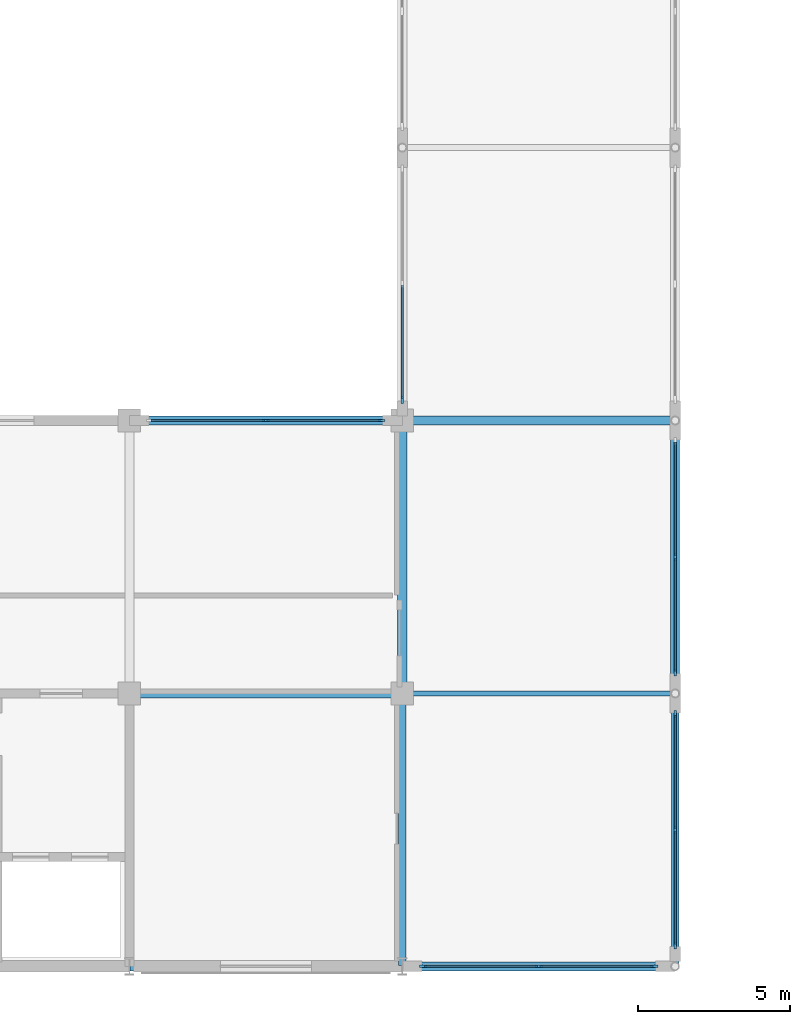
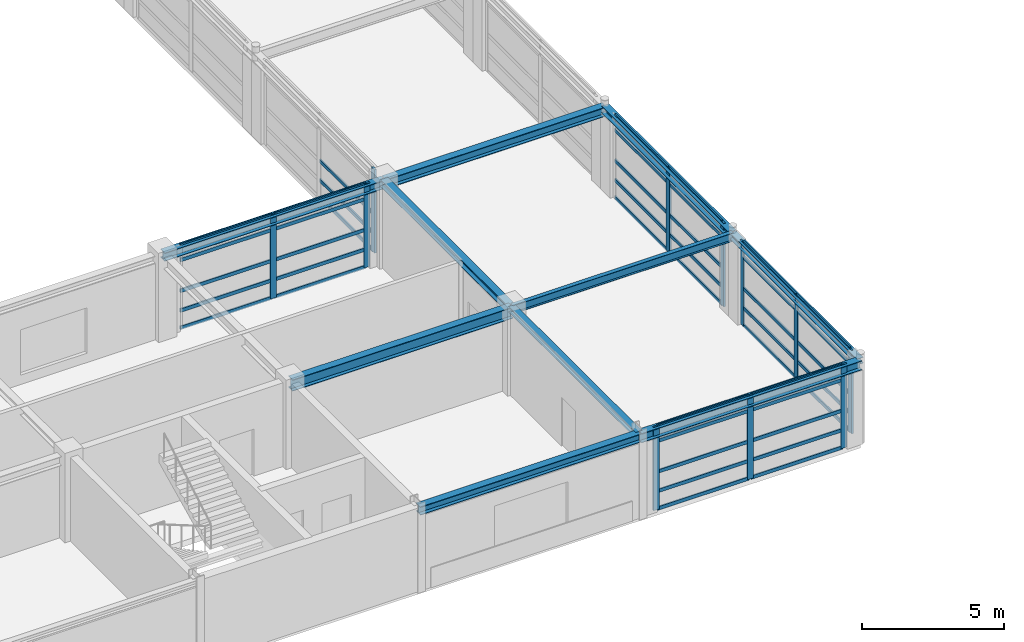
# One storey, part 23 of 79: 54 members, 10 beams, 5 elements without a shape of their own.
"""IFC4 building model written with IfcOpenShell, lengths in metres."""

from ifc_helpers import new_model, si_unit, direction, frame, origin, origin_2d, place, context, subcontext, project, spatial, rectangle, i_section, extrude, material, material_profile, profile_set, type_object, element, aggregate, save


model = new_model("IFC4")

# Units and contexts
model_context = context("Model", 3, precision=1e-05, world=origin(), true_north=direction((0.0, 1.0)))
body_context = subcontext(model_context, "Body", "Model", "MODEL_VIEW")
ifc_project = project(units=[si_unit("LENGTHUNIT", "METRE"), si_unit("AREAUNIT", "SQUARE_METRE"), si_unit("VOLUMEUNIT", "CUBIC_METRE"), si_unit("PLANEANGLEUNIT", "RADIAN"), si_unit("MASSUNIT", "GRAM", prefix="KILO")], contexts=[model_context])

# Site, building, storey
site_placement = place(None, origin())
site = spatial("IfcSite", under=ifc_project, at=site_placement, CompositionType="ELEMENT")
building_placement = place(site_placement, origin())
building = spatial("IfcBuilding", under=site, at=building_placement, Name="Palais des Congres Ocreval", CompositionType="ELEMENT")
storey_placement = place(building_placement, frame((0.0, 0.0, 4.320068359375)))
storey = spatial("IfcBuildingStorey", under=building, at=storey_placement, Name="L01", CompositionType="ELEMENT", Elevation=4.320068359375)

# Beam
ifc_material_1 = material(Name="Steel S355", Category="steel")
ifc_material_profile_1 = material_profile(ifc_material_1, i_section(OverallWidth=0.169921875, OverallDepth=0.360107421875, WebThickness=0.008056640625, FlangeThickness=0.0126953125, at=origin_2d()), Name="IPE 360")
ifc_profile_set_1 = profile_set([ifc_material_profile_1], Name="Steel S355")
beam_type_1 = type_object("IfcBeamType", Name="Composite Beam IPE 360 Steel S355", PredefinedType="BEAM", material=ifc_profile_set_1)
beam_1_placement = place(storey_placement, frame((72.02001953125, 9.0, 3.39990234375), z_axis=(1.0, 0.0, 0.0), x_axis=(0.0, 1.0, 0.0)))
element("IfcBeam", 1, at=beam_1_placement, inside=storey, type_object=beam_type_1, Name="Beam B01 L01", PredefinedType="BEAM", context=body_context, shape_type="SweptSolid", body=[
    extrude(i_section(OverallWidth=0.169921875, OverallDepth=0.360107421875, WebThickness=0.008056640625, FlangeThickness=0.0126953125, at=origin_2d()), origin(), (0.0, 0.0, 1.0), 8.9599609375),
])

# Curtain wall, members
ifc_material_2 = material(Name="Anodized bronze aluminium and low-E glass", Category="glass")
curtain_wall_type = type_object("IfcCurtainWallType", Name="Unitised Curtain Wall 7900x3660", PredefinedType="USERDEFINED", material=ifc_material_2)
curtain_wall_1_placement = place(storey_placement, origin())
curtain_wall_1 = element("IfcCurtainWall", 2, at=curtain_wall_1_placement, inside=storey, type_object=curtain_wall_type, Name="Unitised Curtain Wall CW02 L01", ObjectType="UNITISED CURTAIN WALL", PredefinedType="USERDEFINED")
ifc_material_3 = material(Name="Anodized bronze aluminium", Category="aluminium")
ifc_material_profile_2 = material_profile(ifc_material_3, rectangle(XDim=0.074951171875, YDim=0.239990234375, at=origin_2d()), Name="ALU 75x240")
ifc_profile_set_2 = profile_set([ifc_material_profile_2], Name="Anodized bronze aluminium")
member_type_1 = type_object("IfcMemberType", Name="Curtain Wall Mullion ALU 75x240", PredefinedType="MULLION", material=ifc_profile_set_2)
member_1_placement = place(storey_placement, frame((81.0, 13.5, 0.0), z_axis=(0.0, 0.0, 1.0), x_axis=(1.0, 0.0, 0.0)))
member_1 = element("IfcMember", 3, at=member_1_placement, type_object=member_type_1, Name="Curtain Wall Mullion ML01", PredefinedType="MULLION", context=body_context, shape_type="SweptSolid", body=[
    extrude(rectangle(XDim=0.074951171875, YDim=0.239990234375, at=origin_2d()), origin(), (0.0, 0.0, 1.0), 3.58984375),
])
member_2_placement = place(storey_placement, frame((81.0, 9.6875, 0.0), z_axis=(0.0, 0.0, 1.0), x_axis=(1.0, 0.0, 0.0)))
member_2 = element("IfcMember", 4, at=member_2_placement, type_object=member_type_1, Name="Curtain Wall Mullion ML01", PredefinedType="MULLION", context=body_context, shape_type="SweptSolid", body=[
    extrude(rectangle(XDim=0.074951171875, YDim=0.239990234375, at=origin_2d()), origin(), (0.0, 0.0, 1.0), 3.58984375),
])

curtain_wall_2_placement = place(storey_placement, origin())
curtain_wall_2 = element("IfcCurtainWall", 5, at=curtain_wall_2_placement, inside=storey, type_object=curtain_wall_type, Name="Unitised Curtain Wall CW02 L01", ObjectType="UNITISED CURTAIN WALL", PredefinedType="USERDEFINED")
member_3_placement = place(storey_placement, frame((81.0, 8.3125, 0.0), z_axis=(0.0, 0.0, 1.0), x_axis=(1.0, 0.0, 0.0)))
member_3 = element("IfcMember", 6, at=member_3_placement, type_object=member_type_1, Name="Curtain Wall Mullion ML01", PredefinedType="MULLION", context=body_context, shape_type="SweptSolid", body=[
    extrude(rectangle(XDim=0.074951171875, YDim=0.239990234375, at=origin_2d()), origin(), (0.0, 0.0, 1.0), 3.58984375),
])
member_4_placement = place(storey_placement, frame((81.0, 4.5, 0.0), z_axis=(0.0, 0.0, 1.0), x_axis=(1.0, 0.0, 0.0)))
member_4 = element("IfcMember", 7, at=member_4_placement, type_object=member_type_1, Name="Curtain Wall Mullion ML01", PredefinedType="MULLION", context=body_context, shape_type="SweptSolid", body=[
    extrude(rectangle(XDim=0.074951171875, YDim=0.239990234375, at=origin_2d()), origin(), (0.0, 0.0, 1.0), 3.58984375),
])
member_5_placement = place(storey_placement, frame((81.0, 0.6875, 0.0), z_axis=(0.0, 0.0, 1.0), x_axis=(1.0, 0.0, 0.0)))
member_5 = element("IfcMember", 8, at=member_5_placement, type_object=member_type_1, Name="Curtain Wall Mullion ML01", PredefinedType="MULLION", context=body_context, shape_type="SweptSolid", body=[
    extrude(rectangle(XDim=0.074951171875, YDim=0.239990234375, at=origin_2d()), origin(), (0.0, 0.0, 1.0), 3.58984375),
])

curtain_wall_3_placement = place(storey_placement, origin())
curtain_wall_3 = element("IfcCurtainWall", 9, at=curtain_wall_3_placement, inside=storey, type_object=curtain_wall_type, Name="Unitised Curtain Wall CW02 L01", ObjectType="UNITISED CURTAIN WALL", PredefinedType="USERDEFINED")
member_6_placement = place(storey_placement, frame((80.3125, 0.0, 0.0), z_axis=(0.0, 0.0, 1.0), x_axis=(0.0, -1.0, 0.0)))
member_6 = element("IfcMember", 10, at=member_6_placement, type_object=member_type_1, Name="Curtain Wall Mullion ML01", PredefinedType="MULLION", context=body_context, shape_type="SweptSolid", body=[
    extrude(rectangle(XDim=0.074951171875, YDim=0.239990234375, at=origin_2d()), origin(), (0.0, 0.0, 1.0), 3.58984375),
])
member_7_placement = place(storey_placement, frame((76.5, 0.0, 0.0), z_axis=(0.0, 0.0, 1.0), x_axis=(0.0, -1.0, 0.0)))
member_7 = element("IfcMember", 11, at=member_7_placement, type_object=member_type_1, Name="Curtain Wall Mullion ML01", PredefinedType="MULLION", context=body_context, shape_type="SweptSolid", body=[
    extrude(rectangle(XDim=0.074951171875, YDim=0.239990234375, at=origin_2d()), origin(), (0.0, 0.0, 1.0), 3.58984375),
])
member_8_placement = place(storey_placement, frame((72.6875, 0.0, 0.0), z_axis=(0.0, 0.0, 1.0), x_axis=(0.0, -1.0, 0.0)))
member_8 = element("IfcMember", 12, at=member_8_placement, type_object=member_type_1, Name="Curtain Wall Mullion ML01", PredefinedType="MULLION", context=body_context, shape_type="SweptSolid", body=[
    extrude(rectangle(XDim=0.074951171875, YDim=0.239990234375, at=origin_2d()), origin(), (0.0, 0.0, 1.0), 3.58984375),
])

curtain_wall_4_placement = place(storey_placement, origin())
curtain_wall_4 = element("IfcCurtainWall", 13, at=curtain_wall_4_placement, inside=storey, type_object=curtain_wall_type, Name="Unitised Curtain Wall CW02 L01", ObjectType="UNITISED CURTAIN WALL", PredefinedType="USERDEFINED")
member_9_placement = place(storey_placement, frame((67.5, 18.0, 0.0), z_axis=(0.0, 0.0, 1.0), x_axis=(0.0, 1.0, 0.0)))
member_9 = element("IfcMember", 14, at=member_9_placement, type_object=member_type_1, Name="Curtain Wall Mullion ML01", PredefinedType="MULLION", context=body_context, shape_type="SweptSolid", body=[
    extrude(rectangle(XDim=0.074951171875, YDim=0.239990234375, at=origin_2d()), origin(), (0.0, 0.0, 1.0), 3.599853515625),
])
member_10_placement = place(storey_placement, frame((71.3125, 18.0, 0.0), z_axis=(0.0, 0.0, 1.0), x_axis=(0.0, 1.0, 0.0)))
member_10 = element("IfcMember", 15, at=member_10_placement, type_object=member_type_1, Name="Curtain Wall Mullion ML01", PredefinedType="MULLION", context=body_context, shape_type="SweptSolid", body=[
    extrude(rectangle(XDim=0.074951171875, YDim=0.239990234375, at=origin_2d()), origin(), (0.0, 0.0, 1.0), 3.599853515625),
])

# Curtain wall, member
curtain_wall_5_placement = place(storey_placement, origin())
curtain_wall_5 = element("IfcCurtainWall", 16, at=curtain_wall_5_placement, inside=storey, type_object=curtain_wall_type, Name="Unitised Curtain Wall CW02 L01", ObjectType="UNITISED CURTAIN WALL", PredefinedType="USERDEFINED")
member_11_placement = place(storey_placement, frame((72.0, 18.6875, 0.0), z_axis=(0.0, 0.0, 1.0), x_axis=(-1.0, 0.0, 0.0)))
member_11 = element("IfcMember", 17, at=member_11_placement, type_object=member_type_1, Name="Curtain Wall Mullion ML01", PredefinedType="MULLION", context=body_context, shape_type="SweptSolid", body=[
    extrude(rectangle(XDim=0.074951171875, YDim=0.239990234375, at=origin_2d()), origin(), (0.0, 0.0, 1.0), 3.58984375),
])

# Member
ifc_material_profile_3 = material_profile(ifc_material_3, rectangle(XDim=0.06005859375, YDim=0.14990234375, at=origin_2d()), Name="ALU 60x150")
ifc_profile_set_3 = profile_set([ifc_material_profile_3], Name="Anodized bronze aluminium")
member_type_2 = type_object("IfcMemberType", Name="Curtain Wall Transom ALU 60x150", PredefinedType="USERDEFINED", material=ifc_profile_set_3)
member_12_placement = place(storey_placement, frame((81.0, 17.27490234375, 0.030029296875), z_axis=(0.0, -1.0, 0.0), x_axis=(1.0, 0.0, 0.0)))
member_12 = element("IfcMember", 18, at=member_12_placement, type_object=member_type_2, Name="Curtain Wall Transom TR01", ObjectType="TRANSOM", PredefinedType="USERDEFINED", context=body_context, shape_type="SweptSolid", body=[
    extrude(rectangle(XDim=0.06005859375, YDim=0.14990234375, at=origin_2d()), origin(), (0.0, 0.0, 1.0), 3.7373046875),
])

member_13_placement = place(storey_placement, frame((81.0, 17.27490234375, 0.780029296875), z_axis=(0.0, -1.0, 0.0), x_axis=(1.0, 0.0, 0.0)))
member_13 = element("IfcMember", 19, at=member_13_placement, type_object=member_type_2, Name="Curtain Wall Transom TR01", ObjectType="TRANSOM", PredefinedType="USERDEFINED", context=body_context, shape_type="SweptSolid", body=[
    extrude(rectangle(XDim=0.06005859375, YDim=0.14990234375, at=origin_2d()), origin(), (0.0, 0.0, 1.0), 3.7373046875),
])

member_14_placement = place(storey_placement, frame((81.0, 17.27490234375, 1.616943359375), z_axis=(0.0, -1.0, 0.0), x_axis=(1.0, 0.0, 0.0)))
member_14 = element("IfcMember", 20, at=member_14_placement, type_object=member_type_2, Name="Curtain Wall Transom TR01", ObjectType="TRANSOM", PredefinedType="USERDEFINED", context=body_context, shape_type="SweptSolid", body=[
    extrude(rectangle(XDim=0.06005859375, YDim=0.14990234375, at=origin_2d()), origin(), (0.0, 0.0, 1.0), 3.7373046875),
])

member_15_placement = place(storey_placement, frame((81.0, 17.27490234375, 2.93994140625), z_axis=(0.0, -1.0, 0.0), x_axis=(1.0, 0.0, 0.0)))
member_15 = element("IfcMember", 21, at=member_15_placement, type_object=member_type_2, Name="Curtain Wall Transom TR01", ObjectType="TRANSOM", PredefinedType="USERDEFINED", context=body_context, shape_type="SweptSolid", body=[
    extrude(rectangle(XDim=0.06005859375, YDim=0.14990234375, at=origin_2d()), origin(), (0.0, 0.0, 1.0), 3.7373046875),
])

member_16_placement = place(storey_placement, frame((81.0, 17.27490234375, 3.559814453125), z_axis=(0.0, -1.0, 0.0), x_axis=(1.0, 0.0, 0.0)))
member_16 = element("IfcMember", 22, at=member_16_placement, type_object=member_type_2, Name="Curtain Wall Transom TR01", ObjectType="TRANSOM", PredefinedType="USERDEFINED", context=body_context, shape_type="SweptSolid", body=[
    extrude(rectangle(XDim=0.06005859375, YDim=0.14990234375, at=origin_2d()), origin(), (0.0, 0.0, 1.0), 3.7373046875),
])

member_17_placement = place(storey_placement, frame((81.0, 13.46240234375, 0.030029296875), z_axis=(0.0, -1.0, 0.0), x_axis=(1.0, 0.0, 0.0)))
member_17 = element("IfcMember", 23, at=member_17_placement, type_object=member_type_2, Name="Curtain Wall Transom TR01", ObjectType="TRANSOM", PredefinedType="USERDEFINED", context=body_context, shape_type="SweptSolid", body=[
    extrude(rectangle(XDim=0.06005859375, YDim=0.14990234375, at=origin_2d()), origin(), (0.0, 0.0, 1.0), 3.7373046875),
])

member_18_placement = place(storey_placement, frame((81.0, 13.46240234375, 0.780029296875), z_axis=(0.0, -1.0, 0.0), x_axis=(1.0, 0.0, 0.0)))
member_18 = element("IfcMember", 24, at=member_18_placement, type_object=member_type_2, Name="Curtain Wall Transom TR01", ObjectType="TRANSOM", PredefinedType="USERDEFINED", context=body_context, shape_type="SweptSolid", body=[
    extrude(rectangle(XDim=0.06005859375, YDim=0.14990234375, at=origin_2d()), origin(), (0.0, 0.0, 1.0), 3.7373046875),
])

member_19_placement = place(storey_placement, frame((81.0, 13.46240234375, 1.616943359375), z_axis=(0.0, -1.0, 0.0), x_axis=(1.0, 0.0, 0.0)))
member_19 = element("IfcMember", 25, at=member_19_placement, type_object=member_type_2, Name="Curtain Wall Transom TR01", ObjectType="TRANSOM", PredefinedType="USERDEFINED", context=body_context, shape_type="SweptSolid", body=[
    extrude(rectangle(XDim=0.06005859375, YDim=0.14990234375, at=origin_2d()), origin(), (0.0, 0.0, 1.0), 3.7373046875),
])

member_20_placement = place(storey_placement, frame((81.0, 13.46240234375, 2.93994140625), z_axis=(0.0, -1.0, 0.0), x_axis=(1.0, 0.0, 0.0)))
member_20 = element("IfcMember", 26, at=member_20_placement, type_object=member_type_2, Name="Curtain Wall Transom TR01", ObjectType="TRANSOM", PredefinedType="USERDEFINED", context=body_context, shape_type="SweptSolid", body=[
    extrude(rectangle(XDim=0.06005859375, YDim=0.14990234375, at=origin_2d()), origin(), (0.0, 0.0, 1.0), 3.7373046875),
])

member_21_placement = place(storey_placement, frame((81.0, 13.46240234375, 3.559814453125), z_axis=(0.0, -1.0, 0.0), x_axis=(1.0, 0.0, 0.0)))
member_21 = element("IfcMember", 27, at=member_21_placement, type_object=member_type_2, Name="Curtain Wall Transom TR01", ObjectType="TRANSOM", PredefinedType="USERDEFINED", context=body_context, shape_type="SweptSolid", body=[
    extrude(rectangle(XDim=0.06005859375, YDim=0.14990234375, at=origin_2d()), origin(), (0.0, 0.0, 1.0), 3.7373046875),
])

aggregate(curtain_wall_1, [member_1, member_2, member_12, member_13, member_14, member_15, member_16, member_17, member_18, member_19, member_20, member_21])

member_22_placement = place(storey_placement, frame((81.0, 8.27490234375, 0.030029296875), z_axis=(0.0, -1.0, 0.0), x_axis=(1.0, 0.0, 0.0)))
member_22 = element("IfcMember", 28, at=member_22_placement, type_object=member_type_2, Name="Curtain Wall Transom TR01", ObjectType="TRANSOM", PredefinedType="USERDEFINED", context=body_context, shape_type="SweptSolid", body=[
    extrude(rectangle(XDim=0.06005859375, YDim=0.14990234375, at=origin_2d()), origin(), (0.0, 0.0, 1.0), 3.7373046875),
])

member_23_placement = place(storey_placement, frame((81.0, 8.27490234375, 0.780029296875), z_axis=(0.0, -1.0, 0.0), x_axis=(1.0, 0.0, 0.0)))
member_23 = element("IfcMember", 29, at=member_23_placement, type_object=member_type_2, Name="Curtain Wall Transom TR01", ObjectType="TRANSOM", PredefinedType="USERDEFINED", context=body_context, shape_type="SweptSolid", body=[
    extrude(rectangle(XDim=0.06005859375, YDim=0.14990234375, at=origin_2d()), origin(), (0.0, 0.0, 1.0), 3.7373046875),
])

member_24_placement = place(storey_placement, frame((81.0, 8.27490234375, 1.616943359375), z_axis=(0.0, -1.0, 0.0), x_axis=(1.0, 0.0, 0.0)))
member_24 = element("IfcMember", 30, at=member_24_placement, type_object=member_type_2, Name="Curtain Wall Transom TR01", ObjectType="TRANSOM", PredefinedType="USERDEFINED", context=body_context, shape_type="SweptSolid", body=[
    extrude(rectangle(XDim=0.06005859375, YDim=0.14990234375, at=origin_2d()), origin(), (0.0, 0.0, 1.0), 3.7373046875),
])

member_25_placement = place(storey_placement, frame((81.0, 8.27490234375, 2.93994140625), z_axis=(0.0, -1.0, 0.0), x_axis=(1.0, 0.0, 0.0)))
member_25 = element("IfcMember", 31, at=member_25_placement, type_object=member_type_2, Name="Curtain Wall Transom TR01", ObjectType="TRANSOM", PredefinedType="USERDEFINED", context=body_context, shape_type="SweptSolid", body=[
    extrude(rectangle(XDim=0.06005859375, YDim=0.14990234375, at=origin_2d()), origin(), (0.0, 0.0, 1.0), 3.7373046875),
])

member_26_placement = place(storey_placement, frame((81.0, 8.27490234375, 3.559814453125), z_axis=(0.0, -1.0, 0.0), x_axis=(1.0, 0.0, 0.0)))
member_26 = element("IfcMember", 32, at=member_26_placement, type_object=member_type_2, Name="Curtain Wall Transom TR01", ObjectType="TRANSOM", PredefinedType="USERDEFINED", context=body_context, shape_type="SweptSolid", body=[
    extrude(rectangle(XDim=0.06005859375, YDim=0.14990234375, at=origin_2d()), origin(), (0.0, 0.0, 1.0), 3.7373046875),
])

member_27_placement = place(storey_placement, frame((81.0, 4.46240234375, 0.030029296875), z_axis=(0.0, -1.0, 0.0), x_axis=(1.0, 0.0, 0.0)))
member_27 = element("IfcMember", 33, at=member_27_placement, type_object=member_type_2, Name="Curtain Wall Transom TR01", ObjectType="TRANSOM", PredefinedType="USERDEFINED", context=body_context, shape_type="SweptSolid", body=[
    extrude(rectangle(XDim=0.06005859375, YDim=0.14990234375, at=origin_2d()), origin(), (0.0, 0.0, 1.0), 3.7373046875),
])

member_28_placement = place(storey_placement, frame((81.0, 4.46240234375, 0.780029296875), z_axis=(0.0, -1.0, 0.0), x_axis=(1.0, 0.0, 0.0)))
member_28 = element("IfcMember", 34, at=member_28_placement, type_object=member_type_2, Name="Curtain Wall Transom TR01", ObjectType="TRANSOM", PredefinedType="USERDEFINED", context=body_context, shape_type="SweptSolid", body=[
    extrude(rectangle(XDim=0.06005859375, YDim=0.14990234375, at=origin_2d()), origin(), (0.0, 0.0, 1.0), 3.7373046875),
])

member_29_placement = place(storey_placement, frame((81.0, 4.46240234375, 1.616943359375), z_axis=(0.0, -1.0, 0.0), x_axis=(1.0, 0.0, 0.0)))
member_29 = element("IfcMember", 35, at=member_29_placement, type_object=member_type_2, Name="Curtain Wall Transom TR01", ObjectType="TRANSOM", PredefinedType="USERDEFINED", context=body_context, shape_type="SweptSolid", body=[
    extrude(rectangle(XDim=0.06005859375, YDim=0.14990234375, at=origin_2d()), origin(), (0.0, 0.0, 1.0), 3.7373046875),
])

member_30_placement = place(storey_placement, frame((81.0, 4.46240234375, 2.93994140625), z_axis=(0.0, -1.0, 0.0), x_axis=(1.0, 0.0, 0.0)))
member_30 = element("IfcMember", 36, at=member_30_placement, type_object=member_type_2, Name="Curtain Wall Transom TR01", ObjectType="TRANSOM", PredefinedType="USERDEFINED", context=body_context, shape_type="SweptSolid", body=[
    extrude(rectangle(XDim=0.06005859375, YDim=0.14990234375, at=origin_2d()), origin(), (0.0, 0.0, 1.0), 3.7373046875),
])

member_31_placement = place(storey_placement, frame((81.0, 4.46240234375, 3.559814453125), z_axis=(0.0, -1.0, 0.0), x_axis=(1.0, 0.0, 0.0)))
member_31 = element("IfcMember", 37, at=member_31_placement, type_object=member_type_2, Name="Curtain Wall Transom TR01", ObjectType="TRANSOM", PredefinedType="USERDEFINED", context=body_context, shape_type="SweptSolid", body=[
    extrude(rectangle(XDim=0.06005859375, YDim=0.14990234375, at=origin_2d()), origin(), (0.0, 0.0, 1.0), 3.7373046875),
])

aggregate(curtain_wall_2, [member_3, member_4, member_5, member_22, member_23, member_24, member_25, member_26, member_27, member_28, member_29, member_30, member_31])

member_32_placement = place(storey_placement, frame((80.27490234375, 0.0, 0.030029296875), z_axis=(-1.0, 0.0, 0.0), x_axis=(0.0, -1.0, 0.0)))
member_32 = element("IfcMember", 38, at=member_32_placement, type_object=member_type_2, Name="Curtain Wall Transom TR01", ObjectType="TRANSOM", PredefinedType="USERDEFINED", context=body_context, shape_type="SweptSolid", body=[
    extrude(rectangle(XDim=0.06005859375, YDim=0.14990234375, at=origin_2d()), origin(), (0.0, 0.0, 1.0), 3.7373046875),
])

member_33_placement = place(storey_placement, frame((80.27490234375, 0.0, 0.780029296875), z_axis=(-1.0, 0.0, 0.0), x_axis=(0.0, -1.0, 0.0)))
member_33 = element("IfcMember", 39, at=member_33_placement, type_object=member_type_2, Name="Curtain Wall Transom TR01", ObjectType="TRANSOM", PredefinedType="USERDEFINED", context=body_context, shape_type="SweptSolid", body=[
    extrude(rectangle(XDim=0.06005859375, YDim=0.14990234375, at=origin_2d()), origin(), (0.0, 0.0, 1.0), 3.7373046875),
])

member_34_placement = place(storey_placement, frame((80.27490234375, 0.0, 1.616943359375), z_axis=(-1.0, 0.0, 0.0), x_axis=(0.0, -1.0, 0.0)))
member_34 = element("IfcMember", 40, at=member_34_placement, type_object=member_type_2, Name="Curtain Wall Transom TR01", ObjectType="TRANSOM", PredefinedType="USERDEFINED", context=body_context, shape_type="SweptSolid", body=[
    extrude(rectangle(XDim=0.06005859375, YDim=0.14990234375, at=origin_2d()), origin(), (0.0, 0.0, 1.0), 3.7373046875),
])

member_35_placement = place(storey_placement, frame((80.27490234375, 0.0, 2.93994140625), z_axis=(-1.0, 0.0, 0.0), x_axis=(0.0, -1.0, 0.0)))
member_35 = element("IfcMember", 41, at=member_35_placement, type_object=member_type_2, Name="Curtain Wall Transom TR01", ObjectType="TRANSOM", PredefinedType="USERDEFINED", context=body_context, shape_type="SweptSolid", body=[
    extrude(rectangle(XDim=0.06005859375, YDim=0.14990234375, at=origin_2d()), origin(), (0.0, 0.0, 1.0), 3.7373046875),
])

member_36_placement = place(storey_placement, frame((80.27490234375, 0.0, 3.559814453125), z_axis=(-1.0, 0.0, 0.0), x_axis=(0.0, -1.0, 0.0)))
member_36 = element("IfcMember", 42, at=member_36_placement, type_object=member_type_2, Name="Curtain Wall Transom TR01", ObjectType="TRANSOM", PredefinedType="USERDEFINED", context=body_context, shape_type="SweptSolid", body=[
    extrude(rectangle(XDim=0.06005859375, YDim=0.14990234375, at=origin_2d()), origin(), (0.0, 0.0, 1.0), 3.7373046875),
])

member_37_placement = place(storey_placement, frame((76.46240234375, 0.0, 0.030029296875), z_axis=(-1.0, 0.0, 0.0), x_axis=(0.0, -1.0, 0.0)))
member_37 = element("IfcMember", 43, at=member_37_placement, type_object=member_type_2, Name="Curtain Wall Transom TR01", ObjectType="TRANSOM", PredefinedType="USERDEFINED", context=body_context, shape_type="SweptSolid", body=[
    extrude(rectangle(XDim=0.06005859375, YDim=0.14990234375, at=origin_2d()), origin(), (0.0, 0.0, 1.0), 3.7373046875),
])

member_38_placement = place(storey_placement, frame((76.46240234375, 0.0, 0.780029296875), z_axis=(-1.0, 0.0, 0.0), x_axis=(0.0, -1.0, 0.0)))
member_38 = element("IfcMember", 44, at=member_38_placement, type_object=member_type_2, Name="Curtain Wall Transom TR01", ObjectType="TRANSOM", PredefinedType="USERDEFINED", context=body_context, shape_type="SweptSolid", body=[
    extrude(rectangle(XDim=0.06005859375, YDim=0.14990234375, at=origin_2d()), origin(), (0.0, 0.0, 1.0), 3.7373046875),
])

member_39_placement = place(storey_placement, frame((76.46240234375, 0.0, 1.616943359375), z_axis=(-1.0, 0.0, 0.0), x_axis=(0.0, -1.0, 0.0)))
member_39 = element("IfcMember", 45, at=member_39_placement, type_object=member_type_2, Name="Curtain Wall Transom TR01", ObjectType="TRANSOM", PredefinedType="USERDEFINED", context=body_context, shape_type="SweptSolid", body=[
    extrude(rectangle(XDim=0.06005859375, YDim=0.14990234375, at=origin_2d()), origin(), (0.0, 0.0, 1.0), 3.7373046875),
])

member_40_placement = place(storey_placement, frame((76.46240234375, 0.0, 2.93994140625), z_axis=(-1.0, 0.0, 0.0), x_axis=(0.0, -1.0, 0.0)))
member_40 = element("IfcMember", 46, at=member_40_placement, type_object=member_type_2, Name="Curtain Wall Transom TR01", ObjectType="TRANSOM", PredefinedType="USERDEFINED", context=body_context, shape_type="SweptSolid", body=[
    extrude(rectangle(XDim=0.06005859375, YDim=0.14990234375, at=origin_2d()), origin(), (0.0, 0.0, 1.0), 3.7373046875),
])

member_41_placement = place(storey_placement, frame((76.46240234375, 0.0, 3.559814453125), z_axis=(-1.0, 0.0, 0.0), x_axis=(0.0, -1.0, 0.0)))
member_41 = element("IfcMember", 47, at=member_41_placement, type_object=member_type_2, Name="Curtain Wall Transom TR01", ObjectType="TRANSOM", PredefinedType="USERDEFINED", context=body_context, shape_type="SweptSolid", body=[
    extrude(rectangle(XDim=0.06005859375, YDim=0.14990234375, at=origin_2d()), origin(), (0.0, 0.0, 1.0), 3.7373046875),
])

aggregate(curtain_wall_3, [member_6, member_7, member_8, member_32, member_33, member_34, member_35, member_36, member_37, member_38, member_39, member_40, member_41])

member_42_placement = place(storey_placement, frame((63.72509765625, 18.0, 0.030029296875), z_axis=(1.0, 0.0, 0.0), x_axis=(0.0, 1.0, 0.0)))
member_42 = element("IfcMember", 48, at=member_42_placement, type_object=member_type_2, Name="Curtain Wall Transom TR01", ObjectType="TRANSOM", PredefinedType="USERDEFINED", context=body_context, shape_type="SweptSolid", body=[
    extrude(rectangle(XDim=0.06005859375, YDim=0.14990234375, at=origin_2d()), origin(), (0.0, 0.0, 1.0), 3.7373046875),
])

member_43_placement = place(storey_placement, frame((63.72509765625, 18.0, 0.780029296875), z_axis=(1.0, 0.0, 0.0), x_axis=(0.0, 1.0, 0.0)))
member_43 = element("IfcMember", 49, at=member_43_placement, type_object=member_type_2, Name="Curtain Wall Transom TR01", ObjectType="TRANSOM", PredefinedType="USERDEFINED", context=body_context, shape_type="SweptSolid", body=[
    extrude(rectangle(XDim=0.06005859375, YDim=0.14990234375, at=origin_2d()), origin(), (0.0, 0.0, 1.0), 3.7373046875),
])

member_44_placement = place(storey_placement, frame((63.72509765625, 18.0, 1.622314453125), z_axis=(1.0, 0.0, 0.0), x_axis=(0.0, 1.0, 0.0)))
member_44 = element("IfcMember", 50, at=member_44_placement, type_object=member_type_2, Name="Curtain Wall Transom TR01", ObjectType="TRANSOM", PredefinedType="USERDEFINED", context=body_context, shape_type="SweptSolid", body=[
    extrude(rectangle(XDim=0.06005859375, YDim=0.14990234375, at=origin_2d()), origin(), (0.0, 0.0, 1.0), 3.7373046875),
])

member_45_placement = place(storey_placement, frame((63.72509765625, 18.0, 2.949951171875), z_axis=(1.0, 0.0, 0.0), x_axis=(0.0, 1.0, 0.0)))
member_45 = element("IfcMember", 51, at=member_45_placement, type_object=member_type_2, Name="Curtain Wall Transom TR01", ObjectType="TRANSOM", PredefinedType="USERDEFINED", context=body_context, shape_type="SweptSolid", body=[
    extrude(rectangle(XDim=0.06005859375, YDim=0.14990234375, at=origin_2d()), origin(), (0.0, 0.0, 1.0), 3.7373046875),
])

member_46_placement = place(storey_placement, frame((63.72509765625, 18.0, 3.56982421875), z_axis=(1.0, 0.0, 0.0), x_axis=(0.0, 1.0, 0.0)))
member_46 = element("IfcMember", 52, at=member_46_placement, type_object=member_type_2, Name="Curtain Wall Transom TR01", ObjectType="TRANSOM", PredefinedType="USERDEFINED", context=body_context, shape_type="SweptSolid", body=[
    extrude(rectangle(XDim=0.06005859375, YDim=0.14990234375, at=origin_2d()), origin(), (0.0, 0.0, 1.0), 3.7373046875),
])

member_47_placement = place(storey_placement, frame((67.53759765625, 18.0, 0.030029296875), z_axis=(1.0, 0.0, 0.0), x_axis=(0.0, 1.0, 0.0)))
member_47 = element("IfcMember", 53, at=member_47_placement, type_object=member_type_2, Name="Curtain Wall Transom TR01", ObjectType="TRANSOM", PredefinedType="USERDEFINED", context=body_context, shape_type="SweptSolid", body=[
    extrude(rectangle(XDim=0.06005859375, YDim=0.14990234375, at=origin_2d()), origin(), (0.0, 0.0, 1.0), 3.7373046875),
])

member_48_placement = place(storey_placement, frame((67.53759765625, 18.0, 0.780029296875), z_axis=(1.0, 0.0, 0.0), x_axis=(0.0, 1.0, 0.0)))
member_48 = element("IfcMember", 54, at=member_48_placement, type_object=member_type_2, Name="Curtain Wall Transom TR01", ObjectType="TRANSOM", PredefinedType="USERDEFINED", context=body_context, shape_type="SweptSolid", body=[
    extrude(rectangle(XDim=0.06005859375, YDim=0.14990234375, at=origin_2d()), origin(), (0.0, 0.0, 1.0), 3.7373046875),
])

member_49_placement = place(storey_placement, frame((67.53759765625, 18.0, 1.622314453125), z_axis=(1.0, 0.0, 0.0), x_axis=(0.0, 1.0, 0.0)))
member_49 = element("IfcMember", 55, at=member_49_placement, type_object=member_type_2, Name="Curtain Wall Transom TR01", ObjectType="TRANSOM", PredefinedType="USERDEFINED", context=body_context, shape_type="SweptSolid", body=[
    extrude(rectangle(XDim=0.06005859375, YDim=0.14990234375, at=origin_2d()), origin(), (0.0, 0.0, 1.0), 3.7373046875),
])

member_50_placement = place(storey_placement, frame((67.53759765625, 18.0, 2.949951171875), z_axis=(1.0, 0.0, 0.0), x_axis=(0.0, 1.0, 0.0)))
member_50 = element("IfcMember", 56, at=member_50_placement, type_object=member_type_2, Name="Curtain Wall Transom TR01", ObjectType="TRANSOM", PredefinedType="USERDEFINED", context=body_context, shape_type="SweptSolid", body=[
    extrude(rectangle(XDim=0.06005859375, YDim=0.14990234375, at=origin_2d()), origin(), (0.0, 0.0, 1.0), 3.7373046875),
])

member_51_placement = place(storey_placement, frame((67.53759765625, 18.0, 3.56982421875), z_axis=(1.0, 0.0, 0.0), x_axis=(0.0, 1.0, 0.0)))
member_51 = element("IfcMember", 57, at=member_51_placement, type_object=member_type_2, Name="Curtain Wall Transom TR01", ObjectType="TRANSOM", PredefinedType="USERDEFINED", context=body_context, shape_type="SweptSolid", body=[
    extrude(rectangle(XDim=0.06005859375, YDim=0.14990234375, at=origin_2d()), origin(), (0.0, 0.0, 1.0), 3.7373046875),
])

aggregate(curtain_wall_4, [member_9, member_10, member_42, member_43, member_44, member_45, member_46, member_47, member_48, member_49, member_50, member_51])

member_52_placement = place(storey_placement, frame((72.0, 18.72509765625, 0.030029296875), z_axis=(0.0, 1.0, 0.0), x_axis=(-1.0, 0.0, 0.0)))
member_52 = element("IfcMember", 58, at=member_52_placement, type_object=member_type_2, Name="Curtain Wall Transom TR01", ObjectType="TRANSOM", PredefinedType="USERDEFINED", context=body_context, shape_type="SweptSolid", body=[
    extrude(rectangle(XDim=0.06005859375, YDim=0.14990234375, at=origin_2d()), origin(), (0.0, 0.0, 1.0), 3.7373046875),
])

member_53_placement = place(storey_placement, frame((72.0, 18.72509765625, 0.780029296875), z_axis=(0.0, 1.0, 0.0), x_axis=(-1.0, 0.0, 0.0)))
member_53 = element("IfcMember", 59, at=member_53_placement, type_object=member_type_2, Name="Curtain Wall Transom TR01", ObjectType="TRANSOM", PredefinedType="USERDEFINED", context=body_context, shape_type="SweptSolid", body=[
    extrude(rectangle(XDim=0.06005859375, YDim=0.14990234375, at=origin_2d()), origin(), (0.0, 0.0, 1.0), 3.7373046875),
])

member_54_placement = place(storey_placement, frame((72.0, 18.72509765625, 1.616943359375), z_axis=(0.0, 1.0, 0.0), x_axis=(-1.0, 0.0, 0.0)))
member_54 = element("IfcMember", 60, at=member_54_placement, type_object=member_type_2, Name="Curtain Wall Transom TR01", ObjectType="TRANSOM", PredefinedType="USERDEFINED", context=body_context, shape_type="SweptSolid", body=[
    extrude(rectangle(XDim=0.06005859375, YDim=0.14990234375, at=origin_2d()), origin(), (0.0, 0.0, 1.0), 3.7373046875),
])

aggregate(curtain_wall_5, [member_11, member_52, member_53, member_54])

# Beams
ifc_material_profile_4 = material_profile(ifc_material_1, i_section(OverallWidth=0.260009765625, OverallDepth=0.260009765625, WebThickness=0.010009765625, FlangeThickness=0.017578125, at=origin_2d()), Name="HEB 260")
ifc_profile_set_4 = profile_set([ifc_material_profile_4], Name="Steel S355")
beam_type_2 = type_object("IfcBeamType", Name="Opening Lintel HEB 260 Steel S355", PredefinedType="LINTEL", material=ifc_profile_set_4)
for number, where, z_axis, x_axis, name in (
    (61, (72.0, 0.02001953125, 3.449951171875), (0.0, 1.0, 0.0), (-1.0, 0.0, 0.0), "Girder LN01 L01"),
    (62, (81.0, 0.02001953125, 3.449951171875), (0.0, 1.0, 0.0), (-1.0, 0.0, 0.0), "Girder LN01 L01"),
):
    element("IfcBeam", number, at=place(storey_placement, frame(where, z_axis=z_axis, x_axis=x_axis)), inside=storey, type_object=beam_type_2, Name=name, PredefinedType="LINTEL", context=body_context, shape_type="SweptSolid", body=[
        extrude(i_section(OverallWidth=0.260009765625, OverallDepth=0.260009765625, WebThickness=0.010009765625, FlangeThickness=0.017578125, at=origin_2d()), origin(), (0.0, 0.0, 1.0), 8.9599609375),
    ])
ifc_material_profile_5 = material_profile(ifc_material_1, i_section(OverallWidth=0.300048828125, OverallDepth=0.300048828125, WebThickness=0.010986328125, FlangeThickness=0.01904296875, at=origin_2d()), Name="HEB 300")
ifc_profile_set_5 = profile_set([ifc_material_profile_5], Name="Steel S355")
beam_type_3 = type_object("IfcBeamType", Name="Perimeter Spandrel HEB 300 Steel S355", PredefinedType="SPANDREL", material=ifc_profile_set_5)
for number, where, z_axis, x_axis, name in (
    (63, (72.0, 9.02001953125, 3.429931640625), (0.0, 1.0, 0.0), (-1.0, 0.0, 0.0), "Girder SP02 L01"),
    (64, (81.0, 9.02001953125, 3.429931640625), (0.0, 1.0, 0.0), (-1.0, 0.0, 0.0), "Girder SP02 L01"),
):
    element("IfcBeam", number, at=place(storey_placement, frame(where, z_axis=z_axis, x_axis=x_axis)), inside=storey, type_object=beam_type_3, Name=name, PredefinedType="SPANDREL", context=body_context, shape_type="SweptSolid", body=[
        extrude(i_section(OverallWidth=0.300048828125, OverallDepth=0.300048828125, WebThickness=0.010986328125, FlangeThickness=0.01904296875, at=origin_2d()), origin(), (0.0, 0.0, 1.0), 8.9599609375),
    ])
ifc_material_profile_6 = material_profile(ifc_material_1, i_section(OverallWidth=0.300048828125, OverallDepth=0.360107421875, WebThickness=0.012451171875, FlangeThickness=0.0224609375, at=origin_2d()), Name="HEB 360")
ifc_profile_set_6 = profile_set([ifc_material_profile_6], Name="Steel S355")
beam_type_4 = type_object("IfcBeamType", Name="Perimeter Spandrel HEB 360 Steel S355", PredefinedType="SPANDREL", material=ifc_profile_set_6)
for number, where, z_axis, x_axis, name in (
    (65, (63.02001953125, 0.0, 3.39990234375), (1.0, 0.0, 0.0), (0.0, 1.0, 0.0), "Beam SP03 L01"),
    (66, (63.02001953125, 18.0, 3.39990234375), (1.0, 0.0, 0.0), (0.0, 1.0, 0.0), "Beam SP03 L01"),
):
    element("IfcBeam", number, at=place(storey_placement, frame(where, z_axis=z_axis, x_axis=x_axis)), inside=storey, type_object=beam_type_4, Name=name, PredefinedType="SPANDREL", context=body_context, shape_type="SweptSolid", body=[
        extrude(i_section(OverallWidth=0.300048828125, OverallDepth=0.360107421875, WebThickness=0.012451171875, FlangeThickness=0.0224609375, at=origin_2d()), origin(), (0.0, 0.0, 1.0), 8.9599609375),
    ])
ifc_material_profile_7 = material_profile(ifc_material_1, i_section(OverallWidth=0.300048828125, OverallDepth=0.39990234375, WebThickness=0.013427734375, FlangeThickness=0.02392578125, at=origin_2d()), Name="HEB 400")
ifc_profile_set_7 = profile_set([ifc_material_profile_7], Name="Steel S355")
beam_type_5 = type_object("IfcBeamType", Name="Perimeter Spandrel HEB 400 Steel S355", PredefinedType="SPANDREL", material=ifc_profile_set_7)
for number, where, z_axis, x_axis, name in (
    (67, (72.02001953125, 0.0, 3.3798828125), (1.0, 0.0, 0.0), (0.0, 1.0, 0.0), "Beam SP04 L01"),
    (68, (72.02001953125, 18.0, 3.3798828125), (1.0, 0.0, 0.0), (0.0, 1.0, 0.0), "Beam SP04 L01"),
):
    element("IfcBeam", number, at=place(storey_placement, frame(where, z_axis=z_axis, x_axis=x_axis)), inside=storey, type_object=beam_type_5, Name=name, PredefinedType="SPANDREL", context=body_context, shape_type="SweptSolid", body=[
        extrude(i_section(OverallWidth=0.300048828125, OverallDepth=0.39990234375, WebThickness=0.013427734375, FlangeThickness=0.02392578125, at=origin_2d()), origin(), (0.0, 0.0, 1.0), 8.9599609375),
    ])
ifc_material_profile_8 = material_profile(ifc_material_1, i_section(OverallWidth=0.300048828125, OverallDepth=0.489990234375, WebThickness=0.011962890625, FlangeThickness=0.02294921875, at=origin_2d()), Name="HEA 500")
ifc_profile_set_8 = profile_set([ifc_material_profile_8], Name="Steel S355")
beam_type_6 = type_object("IfcBeamType", Name="Primary Beam HEA 500 Steel S355", PredefinedType="BEAM", material=ifc_profile_set_8)
beam_2_placement = place(storey_placement, frame((63.02001953125, 9.0, 3.3349609375), z_axis=(1.0, 0.0, 0.0), x_axis=(0.0, 1.0, 0.0)))
element("IfcBeam", 69, at=beam_2_placement, inside=storey, type_object=beam_type_6, Name="Beam B12 L01", PredefinedType="BEAM", context=body_context, shape_type="SweptSolid", body=[
    extrude(i_section(OverallWidth=0.300048828125, OverallDepth=0.489990234375, WebThickness=0.011962890625, FlangeThickness=0.02294921875, at=origin_2d()), origin(), (0.0, 0.0, 1.0), 8.9599609375),
])

save(model, "model.ifc")
